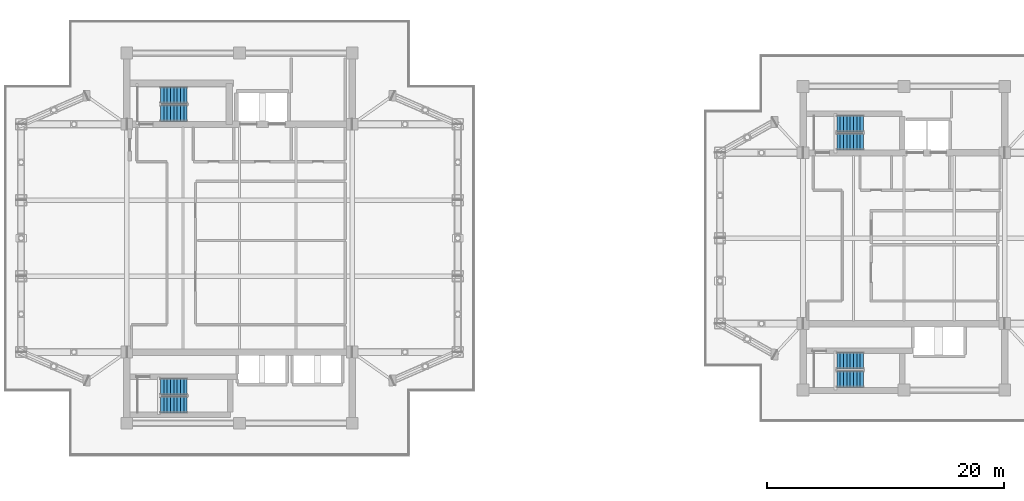
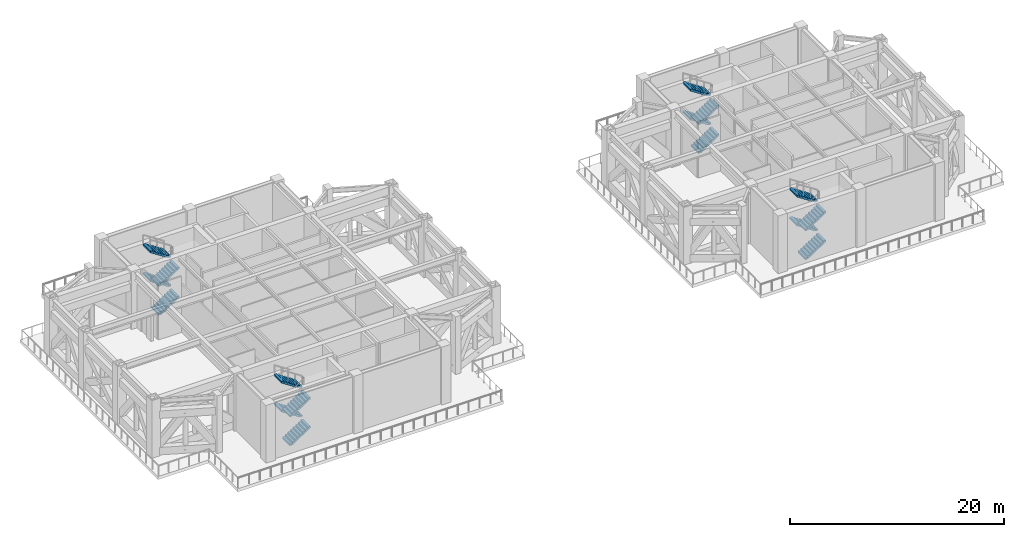
# One storey, part 12 of 18: 16 stair flights, 4 elements without a shape of their own.
"""IFC4 building model written with IfcOpenShell, lengths in metres."""

from ifc_helpers import new_model, si_unit, direction, frame, origin, place, context, subcontext, project, spatial, polyline, outline, extrude, material, type_object, element, aggregate, save


model = new_model("IFC4")

# Units and contexts
model_context = context("Model", 3, precision=1e-05, world=origin(), true_north=direction((0.0, 1.0)))
body_context = subcontext(model_context, "Body", "Model", "MODEL_VIEW")
ifc_project = project(units=[si_unit("LENGTHUNIT", "METRE"), si_unit("AREAUNIT", "SQUARE_METRE"), si_unit("VOLUMEUNIT", "CUBIC_METRE"), si_unit("PLANEANGLEUNIT", "RADIAN"), si_unit("MASSUNIT", "GRAM", prefix="KILO")], contexts=[model_context])

# Site, building, storey
site_placement = place(None, origin())
site = spatial("IfcSite", under=ifc_project, at=site_placement, CompositionType="ELEMENT")
building_placement = place(site_placement, origin())
building = spatial("IfcBuilding", under=site, at=building_placement, Name="Mirazonda Arch Towers", CompositionType="ELEMENT")
storey_placement = place(building_placement, frame((0.0, 0.0, 147.800048828125)))
storey = spatial("IfcBuildingStorey", under=building, at=storey_placement, Name="L42", CompositionType="ELEMENT", Elevation=147.800048828125)

# Stair, stair flights
ifc_material = material(Name="Concrete C40/50", Category="concrete")
stair_type = type_object("IfcStairType", Name="STAIR-CORE-1400", PredefinedType="HALF_TURN_STAIR", material=ifc_material)
stair_1_placement = place(storey_placement, origin())
stair_1 = element("IfcStair", 1, at=stair_1_placement, inside=storey, type_object=stair_type, Name="L42 Protected Exit Stair ST-T1N", PredefinedType="HALF_TURN_STAIR")
stair_flight_type = type_object("IfcStairFlightType", Name="FLIGHT-1400", PredefinedType="STRAIGHT", material=ifc_material)
stair_flight_1_placement = place(storey_placement, frame((13.85009765625, 38.52001953125, 0.0), z_axis=(0.0, 0.0, 1.0), x_axis=(1.0, 0.0, 0.0)))
stair_flight_1 = element("IfcStairFlight", 2, at=stair_flight_1_placement, type_object=stair_flight_type, Name="ST-T1N flight 1", NumberOfRisers=9, NumberOfTreads=8, PredefinedType="STRAIGHT", RiserHeight=0.183333333, TreadLength=0.28, context=body_context, shape_type="SweptSolid", body=[
    extrude(outline(polyline([(0.0, 0.0), (0.0, 0.183349609375), (0.280029296875, 0.183349609375), (0.280029296875, 0.36669921875), (0.56005859375, 0.36669921875), (0.56005859375, 0.550048828125), (0.840087890625, 0.550048828125), (0.840087890625, 0.7333984375), (1.1201171875, 0.7333984375), (1.1201171875, 0.916748046875), (1.39990234375, 0.916748046875), (1.39990234375, 1.10009765625), (1.679931640625, 1.10009765625), (1.679931640625, 1.283447265625), (1.9599609375, 1.283447265625), (1.9599609375, 1.466552734375), (2.239990234375, 1.466552734375), (2.239990234375, 1.64990234375), (2.239990234375, 1.275634765625), (0.2919921875, 0.0), (0.0, 0.0)])), frame((0.0, 0.699951171875, 0.0), z_axis=(0.0, -1.0, 0.0), x_axis=(1.0, 0.0, 0.0)), (0.0, 0.0, 1.0), 1.39990234375),
])
stair_flight_2_placement = place(storey_placement, frame((16.090087890625, 40.06005859375, 1.64990234375), z_axis=(0.0, 0.0, 1.0), x_axis=(-1.0, 0.0, 0.0)))
stair_flight_2 = element("IfcStairFlight", 3, at=stair_flight_2_placement, type_object=stair_flight_type, Name="ST-T1N flight 2", NumberOfRisers=9, NumberOfTreads=8, PredefinedType="STRAIGHT", RiserHeight=0.183333333, TreadLength=0.28, context=body_context, shape_type="SweptSolid", body=[
    extrude(outline(polyline([(0.0, 0.0), (0.0, 0.183349609375), (0.280029296875, 0.183349609375), (0.280029296875, 0.36669921875), (0.56005859375, 0.36669921875), (0.56005859375, 0.550048828125), (0.840087890625, 0.550048828125), (0.840087890625, 0.7333984375), (1.1201171875, 0.7333984375), (1.1201171875, 0.916748046875), (1.39990234375, 0.916748046875), (1.39990234375, 1.10009765625), (1.679931640625, 1.10009765625), (1.679931640625, 1.283447265625), (1.9599609375, 1.283447265625), (1.9599609375, 1.466552734375), (2.239990234375, 1.466552734375), (2.239990234375, 1.64990234375), (2.239990234375, 1.275634765625), (0.2919921875, 0.0), (0.0, 0.0)])), frame((0.0, 0.699951171875, 0.0), z_axis=(0.0, -1.0, 0.0), x_axis=(1.0, 0.0, 0.0)), (0.0, 0.0, 1.0), 1.39990234375),
])
stair_flight_3_placement = place(storey_placement, frame((13.85009765625, 38.52001953125, 3.300048828125), z_axis=(0.0, 0.0, 1.0), x_axis=(1.0, 0.0, 0.0)))
stair_flight_3 = element("IfcStairFlight", 4, at=stair_flight_3_placement, type_object=stair_flight_type, Name="ST-T1N flight 3", NumberOfRisers=9, NumberOfTreads=8, PredefinedType="STRAIGHT", RiserHeight=0.183333333, TreadLength=0.28, context=body_context, shape_type="SweptSolid", body=[
    extrude(outline(polyline([(0.0, 0.0), (0.0, 0.183349609375), (0.280029296875, 0.183349609375), (0.280029296875, 0.36669921875), (0.56005859375, 0.36669921875), (0.56005859375, 0.550048828125), (0.840087890625, 0.550048828125), (0.840087890625, 0.7333984375), (1.1201171875, 0.7333984375), (1.1201171875, 0.916748046875), (1.39990234375, 0.916748046875), (1.39990234375, 1.10009765625), (1.679931640625, 1.10009765625), (1.679931640625, 1.283447265625), (1.9599609375, 1.283447265625), (1.9599609375, 1.466552734375), (2.239990234375, 1.466552734375), (2.239990234375, 1.64990234375), (2.239990234375, 1.275634765625), (0.2919921875, 0.0), (0.0, 0.0)])), frame((0.0, 0.699951171875, 0.0), z_axis=(0.0, -1.0, 0.0), x_axis=(1.0, 0.0, 0.0)), (0.0, 0.0, 1.0), 1.39990234375),
])
stair_flight_4_placement = place(storey_placement, frame((16.090087890625, 40.06005859375, 4.949951171875), z_axis=(0.0, 0.0, 1.0), x_axis=(-1.0, 0.0, 0.0)))
stair_flight_4 = element("IfcStairFlight", 5, at=stair_flight_4_placement, type_object=stair_flight_type, Name="ST-T1N flight 4", NumberOfRisers=9, NumberOfTreads=8, PredefinedType="STRAIGHT", RiserHeight=0.183333333, TreadLength=0.28, context=body_context, shape_type="SweptSolid", body=[
    extrude(outline(polyline([(0.0, 0.0), (0.0, 0.183349609375), (0.280029296875, 0.183349609375), (0.280029296875, 0.36669921875), (0.56005859375, 0.36669921875), (0.56005859375, 0.550048828125), (0.840087890625, 0.550048828125), (0.840087890625, 0.7333984375), (1.1201171875, 0.7333984375), (1.1201171875, 0.916748046875), (1.39990234375, 0.916748046875), (1.39990234375, 1.10009765625), (1.679931640625, 1.10009765625), (1.679931640625, 1.283447265625), (1.9599609375, 1.283447265625), (1.9599609375, 1.466552734375), (2.239990234375, 1.466552734375), (2.239990234375, 1.64990234375), (2.239990234375, 1.275634765625), (0.2919921875, 0.0), (0.0, 0.0)])), frame((0.0, 0.699951171875, 0.0), z_axis=(0.0, -1.0, 0.0), x_axis=(1.0, 0.0, 0.0)), (0.0, 0.0, 1.0), 1.39990234375),
])
aggregate(stair_1, [stair_flight_1, stair_flight_2, stair_flight_3, stair_flight_4])

stair_2_placement = place(storey_placement, origin())
stair_2 = element("IfcStair", 6, at=stair_2_placement, inside=storey, type_object=stair_type, Name="L42 Protected Exit Stair ST-T1S", PredefinedType="HALF_TURN_STAIR")
stair_flight_5_placement = place(storey_placement, frame((13.85009765625, 13.949951171875, 0.0), z_axis=(0.0, 0.0, 1.0), x_axis=(1.0, 0.0, 0.0)))
stair_flight_5 = element("IfcStairFlight", 7, at=stair_flight_5_placement, type_object=stair_flight_type, Name="ST-T1S flight 1", NumberOfRisers=9, NumberOfTreads=8, PredefinedType="STRAIGHT", RiserHeight=0.183333333, TreadLength=0.28, context=body_context, shape_type="SweptSolid", body=[
    extrude(outline(polyline([(0.0, 0.0), (0.0, 0.183349609375), (0.280029296875, 0.183349609375), (0.280029296875, 0.36669921875), (0.56005859375, 0.36669921875), (0.56005859375, 0.550048828125), (0.840087890625, 0.550048828125), (0.840087890625, 0.7333984375), (1.1201171875, 0.7333984375), (1.1201171875, 0.916748046875), (1.39990234375, 0.916748046875), (1.39990234375, 1.10009765625), (1.679931640625, 1.10009765625), (1.679931640625, 1.283447265625), (1.9599609375, 1.283447265625), (1.9599609375, 1.466552734375), (2.239990234375, 1.466552734375), (2.239990234375, 1.64990234375), (2.239990234375, 1.275634765625), (0.2919921875, 0.0), (0.0, 0.0)])), frame((0.0, 0.699951171875, 0.0), z_axis=(0.0, -1.0, 0.0), x_axis=(1.0, 0.0, 0.0)), (0.0, 0.0, 1.0), 1.39990234375),
])
stair_flight_6_placement = place(storey_placement, frame((16.090087890625, 15.489990234375, 1.64990234375), z_axis=(0.0, 0.0, 1.0), x_axis=(-1.0, 0.0, 0.0)))
stair_flight_6 = element("IfcStairFlight", 8, at=stair_flight_6_placement, type_object=stair_flight_type, Name="ST-T1S flight 2", NumberOfRisers=9, NumberOfTreads=8, PredefinedType="STRAIGHT", RiserHeight=0.183333333, TreadLength=0.28, context=body_context, shape_type="SweptSolid", body=[
    extrude(outline(polyline([(0.0, 0.0), (0.0, 0.183349609375), (0.280029296875, 0.183349609375), (0.280029296875, 0.36669921875), (0.56005859375, 0.36669921875), (0.56005859375, 0.550048828125), (0.840087890625, 0.550048828125), (0.840087890625, 0.7333984375), (1.1201171875, 0.7333984375), (1.1201171875, 0.916748046875), (1.39990234375, 0.916748046875), (1.39990234375, 1.10009765625), (1.679931640625, 1.10009765625), (1.679931640625, 1.283447265625), (1.9599609375, 1.283447265625), (1.9599609375, 1.466552734375), (2.239990234375, 1.466552734375), (2.239990234375, 1.64990234375), (2.239990234375, 1.275634765625), (0.2919921875, 0.0), (0.0, 0.0)])), frame((0.0, 0.699951171875, 0.0), z_axis=(0.0, -1.0, 0.0), x_axis=(1.0, 0.0, 0.0)), (0.0, 0.0, 1.0), 1.39990234375),
])
stair_flight_7_placement = place(storey_placement, frame((13.85009765625, 13.949951171875, 3.300048828125), z_axis=(0.0, 0.0, 1.0), x_axis=(1.0, 0.0, 0.0)))
stair_flight_7 = element("IfcStairFlight", 9, at=stair_flight_7_placement, type_object=stair_flight_type, Name="ST-T1S flight 3", NumberOfRisers=9, NumberOfTreads=8, PredefinedType="STRAIGHT", RiserHeight=0.183333333, TreadLength=0.28, context=body_context, shape_type="SweptSolid", body=[
    extrude(outline(polyline([(0.0, 0.0), (0.0, 0.183349609375), (0.280029296875, 0.183349609375), (0.280029296875, 0.36669921875), (0.56005859375, 0.36669921875), (0.56005859375, 0.550048828125), (0.840087890625, 0.550048828125), (0.840087890625, 0.7333984375), (1.1201171875, 0.7333984375), (1.1201171875, 0.916748046875), (1.39990234375, 0.916748046875), (1.39990234375, 1.10009765625), (1.679931640625, 1.10009765625), (1.679931640625, 1.283447265625), (1.9599609375, 1.283447265625), (1.9599609375, 1.466552734375), (2.239990234375, 1.466552734375), (2.239990234375, 1.64990234375), (2.239990234375, 1.275634765625), (0.2919921875, 0.0), (0.0, 0.0)])), frame((0.0, 0.699951171875, 0.0), z_axis=(0.0, -1.0, 0.0), x_axis=(1.0, 0.0, 0.0)), (0.0, 0.0, 1.0), 1.39990234375),
])
stair_flight_8_placement = place(storey_placement, frame((16.090087890625, 15.489990234375, 4.949951171875), z_axis=(0.0, 0.0, 1.0), x_axis=(-1.0, 0.0, 0.0)))
stair_flight_8 = element("IfcStairFlight", 10, at=stair_flight_8_placement, type_object=stair_flight_type, Name="ST-T1S flight 4", NumberOfRisers=9, NumberOfTreads=8, PredefinedType="STRAIGHT", RiserHeight=0.183333333, TreadLength=0.28, context=body_context, shape_type="SweptSolid", body=[
    extrude(outline(polyline([(0.0, 0.0), (0.0, 0.183349609375), (0.280029296875, 0.183349609375), (0.280029296875, 0.36669921875), (0.56005859375, 0.36669921875), (0.56005859375, 0.550048828125), (0.840087890625, 0.550048828125), (0.840087890625, 0.7333984375), (1.1201171875, 0.7333984375), (1.1201171875, 0.916748046875), (1.39990234375, 0.916748046875), (1.39990234375, 1.10009765625), (1.679931640625, 1.10009765625), (1.679931640625, 1.283447265625), (1.9599609375, 1.283447265625), (1.9599609375, 1.466552734375), (2.239990234375, 1.466552734375), (2.239990234375, 1.64990234375), (2.239990234375, 1.275634765625), (0.2919921875, 0.0), (0.0, 0.0)])), frame((0.0, 0.699951171875, 0.0), z_axis=(0.0, -1.0, 0.0), x_axis=(1.0, 0.0, 0.0)), (0.0, 0.0, 1.0), 1.39990234375),
])
aggregate(stair_2, [stair_flight_5, stair_flight_6, stair_flight_7, stair_flight_8])

stair_3_placement = place(storey_placement, origin())
stair_3 = element("IfcStair", 11, at=stair_3_placement, inside=storey, type_object=stair_type, Name="L42 Protected Exit Stair ST-T2N", PredefinedType="HALF_TURN_STAIR")
stair_flight_9_placement = place(storey_placement, frame((70.85009765625, 36.1201171875, 0.0), z_axis=(0.0, 0.0, 1.0), x_axis=(1.0, 0.0, 0.0)))
stair_flight_9 = element("IfcStairFlight", 12, at=stair_flight_9_placement, type_object=stair_flight_type, Name="ST-T2N flight 1", NumberOfRisers=9, NumberOfTreads=8, PredefinedType="STRAIGHT", RiserHeight=0.183333333, TreadLength=0.28, context=body_context, shape_type="SweptSolid", body=[
    extrude(outline(polyline([(0.0, 0.0), (0.0, 0.183349609375), (0.280029296875, 0.183349609375), (0.280029296875, 0.36669921875), (0.56005859375, 0.36669921875), (0.56005859375, 0.550048828125), (0.840087890625, 0.550048828125), (0.840087890625, 0.7333984375), (1.1201171875, 0.7333984375), (1.1201171875, 0.916748046875), (1.39990234375, 0.916748046875), (1.39990234375, 1.10009765625), (1.679931640625, 1.10009765625), (1.679931640625, 1.283447265625), (1.9599609375, 1.283447265625), (1.9599609375, 1.466552734375), (2.239990234375, 1.466552734375), (2.239990234375, 1.64990234375), (2.239990234375, 1.275634765625), (0.2919921875, 0.0), (0.0, 0.0)])), frame((0.0, 0.699951171875, 0.0), z_axis=(0.0, -1.0, 0.0), x_axis=(1.0, 0.0, 0.0)), (0.0, 0.0, 1.0), 1.39990234375),
])
stair_flight_10_placement = place(storey_placement, frame((73.090087890625, 37.659912109375, 1.64990234375), z_axis=(0.0, 0.0, 1.0), x_axis=(-1.0, 0.0, 0.0)))
stair_flight_10 = element("IfcStairFlight", 13, at=stair_flight_10_placement, type_object=stair_flight_type, Name="ST-T2N flight 2", NumberOfRisers=9, NumberOfTreads=8, PredefinedType="STRAIGHT", RiserHeight=0.183333333, TreadLength=0.28, context=body_context, shape_type="SweptSolid", body=[
    extrude(outline(polyline([(0.0, 0.0), (0.0, 0.183349609375), (0.280029296875, 0.183349609375), (0.280029296875, 0.36669921875), (0.56005859375, 0.36669921875), (0.56005859375, 0.550048828125), (0.840087890625, 0.550048828125), (0.840087890625, 0.7333984375), (1.1201171875, 0.7333984375), (1.1201171875, 0.916748046875), (1.39990234375, 0.916748046875), (1.39990234375, 1.10009765625), (1.679931640625, 1.10009765625), (1.679931640625, 1.283447265625), (1.9599609375, 1.283447265625), (1.9599609375, 1.466552734375), (2.239990234375, 1.466552734375), (2.239990234375, 1.64990234375), (2.239990234375, 1.275634765625), (0.2919921875, 0.0), (0.0, 0.0)])), frame((0.0, 0.699951171875, 0.0), z_axis=(0.0, -1.0, 0.0), x_axis=(1.0, 0.0, 0.0)), (0.0, 0.0, 1.0), 1.39990234375),
])
stair_flight_11_placement = place(storey_placement, frame((70.85009765625, 36.1201171875, 3.300048828125), z_axis=(0.0, 0.0, 1.0), x_axis=(1.0, 0.0, 0.0)))
stair_flight_11 = element("IfcStairFlight", 14, at=stair_flight_11_placement, type_object=stair_flight_type, Name="ST-T2N flight 3", NumberOfRisers=9, NumberOfTreads=8, PredefinedType="STRAIGHT", RiserHeight=0.183333333, TreadLength=0.28, context=body_context, shape_type="SweptSolid", body=[
    extrude(outline(polyline([(0.0, 0.0), (0.0, 0.183349609375), (0.280029296875, 0.183349609375), (0.280029296875, 0.36669921875), (0.56005859375, 0.36669921875), (0.56005859375, 0.550048828125), (0.840087890625, 0.550048828125), (0.840087890625, 0.7333984375), (1.1201171875, 0.7333984375), (1.1201171875, 0.916748046875), (1.39990234375, 0.916748046875), (1.39990234375, 1.10009765625), (1.679931640625, 1.10009765625), (1.679931640625, 1.283447265625), (1.9599609375, 1.283447265625), (1.9599609375, 1.466552734375), (2.239990234375, 1.466552734375), (2.239990234375, 1.64990234375), (2.239990234375, 1.275634765625), (0.2919921875, 0.0), (0.0, 0.0)])), frame((0.0, 0.699951171875, 0.0), z_axis=(0.0, -1.0, 0.0), x_axis=(1.0, 0.0, 0.0)), (0.0, 0.0, 1.0), 1.39990234375),
])
stair_flight_12_placement = place(storey_placement, frame((73.090087890625, 37.659912109375, 4.949951171875), z_axis=(0.0, 0.0, 1.0), x_axis=(-1.0, 0.0, 0.0)))
stair_flight_12 = element("IfcStairFlight", 15, at=stair_flight_12_placement, type_object=stair_flight_type, Name="ST-T2N flight 4", NumberOfRisers=9, NumberOfTreads=8, PredefinedType="STRAIGHT", RiserHeight=0.183333333, TreadLength=0.28, context=body_context, shape_type="SweptSolid", body=[
    extrude(outline(polyline([(0.0, 0.0), (0.0, 0.183349609375), (0.280029296875, 0.183349609375), (0.280029296875, 0.36669921875), (0.56005859375, 0.36669921875), (0.56005859375, 0.550048828125), (0.840087890625, 0.550048828125), (0.840087890625, 0.7333984375), (1.1201171875, 0.7333984375), (1.1201171875, 0.916748046875), (1.39990234375, 0.916748046875), (1.39990234375, 1.10009765625), (1.679931640625, 1.10009765625), (1.679931640625, 1.283447265625), (1.9599609375, 1.283447265625), (1.9599609375, 1.466552734375), (2.239990234375, 1.466552734375), (2.239990234375, 1.64990234375), (2.239990234375, 1.275634765625), (0.2919921875, 0.0), (0.0, 0.0)])), frame((0.0, 0.699951171875, 0.0), z_axis=(0.0, -1.0, 0.0), x_axis=(1.0, 0.0, 0.0)), (0.0, 0.0, 1.0), 1.39990234375),
])
aggregate(stair_3, [stair_flight_9, stair_flight_10, stair_flight_11, stair_flight_12])

stair_4_placement = place(storey_placement, origin())
stair_4 = element("IfcStair", 16, at=stair_4_placement, inside=storey, type_object=stair_type, Name="L42 Protected Exit Stair ST-T2S", PredefinedType="HALF_TURN_STAIR")
stair_flight_13_placement = place(storey_placement, frame((70.85009765625, 16.1201171875, 0.0), z_axis=(0.0, 0.0, 1.0), x_axis=(1.0, 0.0, 0.0)))
stair_flight_13 = element("IfcStairFlight", 17, at=stair_flight_13_placement, type_object=stair_flight_type, Name="ST-T2S flight 1", NumberOfRisers=9, NumberOfTreads=8, PredefinedType="STRAIGHT", RiserHeight=0.183333333, TreadLength=0.28, context=body_context, shape_type="SweptSolid", body=[
    extrude(outline(polyline([(0.0, 0.0), (0.0, 0.183349609375), (0.280029296875, 0.183349609375), (0.280029296875, 0.36669921875), (0.56005859375, 0.36669921875), (0.56005859375, 0.550048828125), (0.840087890625, 0.550048828125), (0.840087890625, 0.7333984375), (1.1201171875, 0.7333984375), (1.1201171875, 0.916748046875), (1.39990234375, 0.916748046875), (1.39990234375, 1.10009765625), (1.679931640625, 1.10009765625), (1.679931640625, 1.283447265625), (1.9599609375, 1.283447265625), (1.9599609375, 1.466552734375), (2.239990234375, 1.466552734375), (2.239990234375, 1.64990234375), (2.239990234375, 1.275634765625), (0.2919921875, 0.0), (0.0, 0.0)])), frame((0.0, 0.699951171875, 0.0), z_axis=(0.0, -1.0, 0.0), x_axis=(1.0, 0.0, 0.0)), (0.0, 0.0, 1.0), 1.39990234375),
])
stair_flight_14_placement = place(storey_placement, frame((73.090087890625, 17.659912109375, 1.64990234375), z_axis=(0.0, 0.0, 1.0), x_axis=(-1.0, 0.0, 0.0)))
stair_flight_14 = element("IfcStairFlight", 18, at=stair_flight_14_placement, type_object=stair_flight_type, Name="ST-T2S flight 2", NumberOfRisers=9, NumberOfTreads=8, PredefinedType="STRAIGHT", RiserHeight=0.183333333, TreadLength=0.28, context=body_context, shape_type="SweptSolid", body=[
    extrude(outline(polyline([(0.0, 0.0), (0.0, 0.183349609375), (0.280029296875, 0.183349609375), (0.280029296875, 0.36669921875), (0.56005859375, 0.36669921875), (0.56005859375, 0.550048828125), (0.840087890625, 0.550048828125), (0.840087890625, 0.7333984375), (1.1201171875, 0.7333984375), (1.1201171875, 0.916748046875), (1.39990234375, 0.916748046875), (1.39990234375, 1.10009765625), (1.679931640625, 1.10009765625), (1.679931640625, 1.283447265625), (1.9599609375, 1.283447265625), (1.9599609375, 1.466552734375), (2.239990234375, 1.466552734375), (2.239990234375, 1.64990234375), (2.239990234375, 1.275634765625), (0.2919921875, 0.0), (0.0, 0.0)])), frame((0.0, 0.699951171875, 0.0), z_axis=(0.0, -1.0, 0.0), x_axis=(1.0, 0.0, 0.0)), (0.0, 0.0, 1.0), 1.39990234375),
])
stair_flight_15_placement = place(storey_placement, frame((70.85009765625, 16.1201171875, 3.300048828125), z_axis=(0.0, 0.0, 1.0), x_axis=(1.0, 0.0, 0.0)))
stair_flight_15 = element("IfcStairFlight", 19, at=stair_flight_15_placement, type_object=stair_flight_type, Name="ST-T2S flight 3", NumberOfRisers=9, NumberOfTreads=8, PredefinedType="STRAIGHT", RiserHeight=0.183333333, TreadLength=0.28, context=body_context, shape_type="SweptSolid", body=[
    extrude(outline(polyline([(0.0, 0.0), (0.0, 0.183349609375), (0.280029296875, 0.183349609375), (0.280029296875, 0.36669921875), (0.56005859375, 0.36669921875), (0.56005859375, 0.550048828125), (0.840087890625, 0.550048828125), (0.840087890625, 0.7333984375), (1.1201171875, 0.7333984375), (1.1201171875, 0.916748046875), (1.39990234375, 0.916748046875), (1.39990234375, 1.10009765625), (1.679931640625, 1.10009765625), (1.679931640625, 1.283447265625), (1.9599609375, 1.283447265625), (1.9599609375, 1.466552734375), (2.239990234375, 1.466552734375), (2.239990234375, 1.64990234375), (2.239990234375, 1.275634765625), (0.2919921875, 0.0), (0.0, 0.0)])), frame((0.0, 0.699951171875, 0.0), z_axis=(0.0, -1.0, 0.0), x_axis=(1.0, 0.0, 0.0)), (0.0, 0.0, 1.0), 1.39990234375),
])
stair_flight_16_placement = place(storey_placement, frame((73.090087890625, 17.659912109375, 4.949951171875), z_axis=(0.0, 0.0, 1.0), x_axis=(-1.0, 0.0, 0.0)))
stair_flight_16 = element("IfcStairFlight", 20, at=stair_flight_16_placement, type_object=stair_flight_type, Name="ST-T2S flight 4", NumberOfRisers=9, NumberOfTreads=8, PredefinedType="STRAIGHT", RiserHeight=0.183333333, TreadLength=0.28, context=body_context, shape_type="SweptSolid", body=[
    extrude(outline(polyline([(0.0, 0.0), (0.0, 0.183349609375), (0.280029296875, 0.183349609375), (0.280029296875, 0.36669921875), (0.56005859375, 0.36669921875), (0.56005859375, 0.550048828125), (0.840087890625, 0.550048828125), (0.840087890625, 0.7333984375), (1.1201171875, 0.7333984375), (1.1201171875, 0.916748046875), (1.39990234375, 0.916748046875), (1.39990234375, 1.10009765625), (1.679931640625, 1.10009765625), (1.679931640625, 1.283447265625), (1.9599609375, 1.283447265625), (1.9599609375, 1.466552734375), (2.239990234375, 1.466552734375), (2.239990234375, 1.64990234375), (2.239990234375, 1.275634765625), (0.2919921875, 0.0), (0.0, 0.0)])), frame((0.0, 0.699951171875, 0.0), z_axis=(0.0, -1.0, 0.0), x_axis=(1.0, 0.0, 0.0)), (0.0, 0.0, 1.0), 1.39990234375),
])
aggregate(stair_4, [stair_flight_13, stair_flight_14, stair_flight_15, stair_flight_16])

save(model, "model.ifc")
